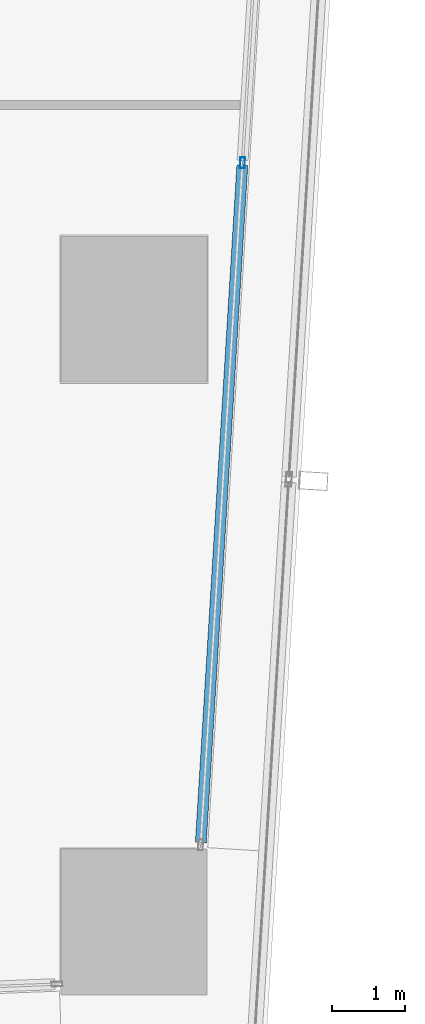
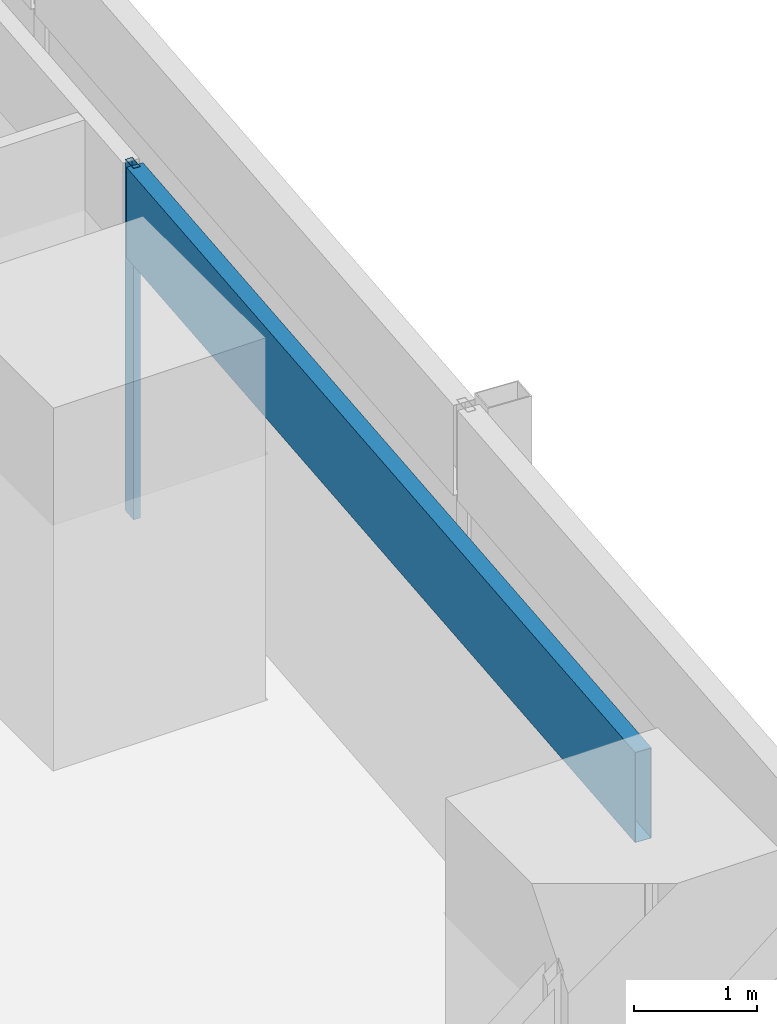
# One storey, part 13 of 39: 2 members, 1 element without a shape of its own.
"""IFC4 building model written with IfcOpenShell, lengths in metres."""

from ifc_helpers import new_model, si_unit, direction, frame, origin, origin_2d, place, context, subcontext, project, spatial, hollow_rectangle, extrude, material, material_profile, profile_set, type_object, element, aggregate, save


model = new_model("IFC4")

# Units and contexts
model_context = context("Model", 3, precision=1e-05, world=origin(), true_north=direction((0.0, 1.0)))
body_context = subcontext(model_context, "Body", "Model", "MODEL_VIEW")
ifc_project = project(units=[si_unit("LENGTHUNIT", "METRE"), si_unit("AREAUNIT", "SQUARE_METRE"), si_unit("VOLUMEUNIT", "CUBIC_METRE"), si_unit("PLANEANGLEUNIT", "RADIAN"), si_unit("MASSUNIT", "GRAM", prefix="KILO")], contexts=[model_context])

# Site, building, storey
site_placement = place(None, origin())
site = spatial("IfcSite", under=ifc_project, at=site_placement, CompositionType="ELEMENT")
building_placement = place(site_placement, origin())
building = spatial("IfcBuilding", under=site, at=building_placement, Name="Rekha Terrace Tower", CompositionType="ELEMENT")
storey_placement = place(building_placement, frame((0.0, 0.0, 151.550048828125)))
storey = spatial("IfcBuildingStorey", under=building, at=storey_placement, Name="L38", CompositionType="ELEMENT", Elevation=151.550048828125)

# Curtain wall, members
ifc_material_1 = material(Name="Aluminium framing", Category="aluminium")
curtain_wall_type = type_object("IfcCurtainWallType", Name="CW1 double skin inner glazing", PredefinedType="USERDEFINED", material=ifc_material_1)
curtain_wall_placement = place(storey_placement, origin())
curtain_wall = element("IfcCurtainWall", 1, at=curtain_wall_placement, inside=storey, type_object=curtain_wall_type, Name="CW1 double skin inner glazing", ObjectType="DOUBLE SKIN INNER GLAZING", PredefinedType="USERDEFINED")
ifc_material_2 = material(Name="Aluminium mullion section", Category="aluminium")
ifc_material_profile_1 = material_profile(ifc_material_2, hollow_rectangle(XDim=0.06494140625, YDim=0.14990234375, WallThickness=0.00390625, at=origin_2d()), Name="AL RHS 65x150")
ifc_profile_set_1 = profile_set([ifc_material_profile_1], Name="Aluminium mullion section")
member_type_1 = type_object("IfcMemberType", Name="CW1 mullion RHS 65 x 150", PredefinedType="MULLION", material=ifc_profile_set_1)
member_1_placement = place(storey_placement, frame((68.68603515625, 27.20751953125, 0.0), z_axis=(0.0, 0.0, 1.0), x_axis=(-0.998127987024, 0.061159803131, 0.0)))
member_1 = element("IfcMember", 2, at=member_1_placement, type_object=member_type_1, Name="CW1 mullion 2", PredefinedType="MULLION", context=body_context, shape_type="SweptSolid", body=[
    extrude(hollow_rectangle(XDim=0.06494140625, YDim=0.14990234375, WallThickness=0.00390625, at=origin_2d()), origin(), (0.0, 0.0, 1.0), 3.5),
])
ifc_material_3 = material(Name="Insulated aluminium spandrel box", Category="aluminium")
ifc_material_profile_2 = material_profile(ifc_material_3, hollow_rectangle(XDim=0.14990234375, YDim=0.89990234375, WallThickness=0.0029296875, at=origin_2d()), Name="AL SPANDREL BOX 150x900")
ifc_profile_set_2 = profile_set([ifc_material_profile_2], Name="Insulated aluminium spandrel box")
member_type_2 = type_object("IfcMemberType", Name="CW1 spandrel transom 150 x 900", PredefinedType="USERDEFINED", material=ifc_profile_set_2)
member_2_placement = place(storey_placement, frame((68.115234375, 17.890380859375, 3.050048828125), z_axis=(0.061152753515, 0.998128418961, 0.0), x_axis=(-0.998128418961, 0.061152753515, 0.0)))
member_2 = element("IfcMember", 3, at=member_2_placement, type_object=member_type_2, Name="CW1 spandrel transom 1", ObjectType="TRANSOM", PredefinedType="USERDEFINED", context=body_context, shape_type="SweptSolid", body=[
    extrude(hollow_rectangle(XDim=0.14990234375, YDim=0.89990234375, WallThickness=0.0029296875, at=origin_2d()), origin(), (0.0, 0.0, 1.0), 9.302001953125),
])
aggregate(curtain_wall, [member_1, member_2])

save(model, "model.ifc")
